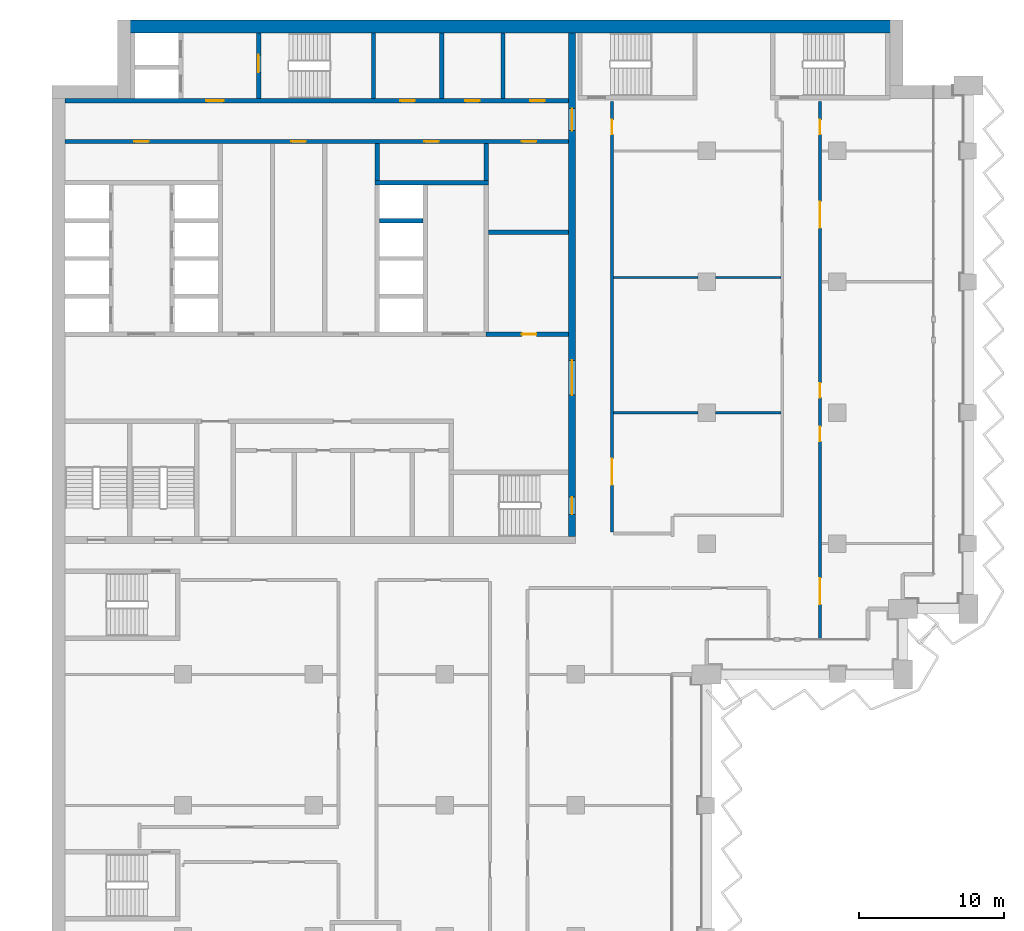
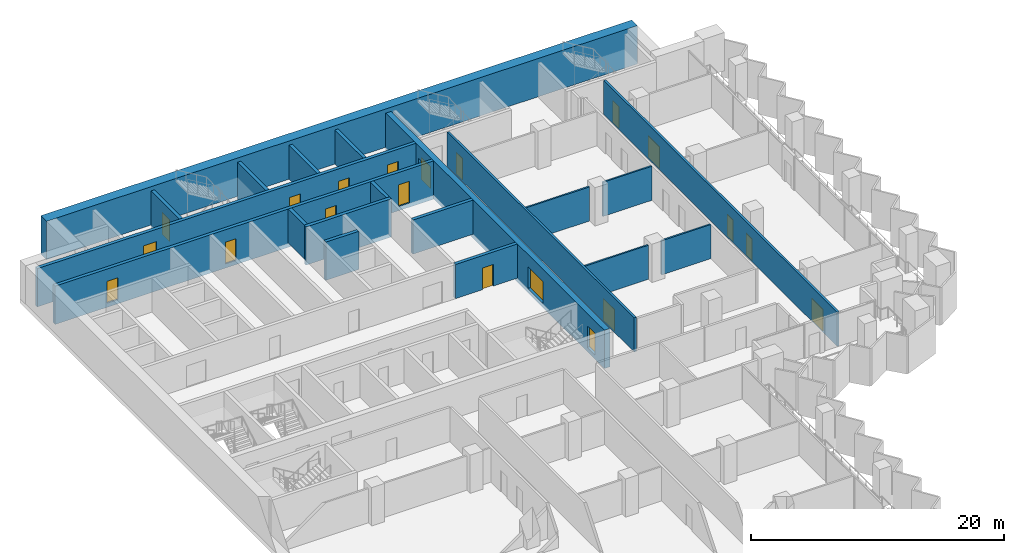
# One storey, part 14 of 23: 20 doors, 20 walls, 20 openings.
"""IFC4 building model written with IfcOpenShell, lengths in metres."""

import ifcopenshell
import ifcopenshell.guid

model = None  # the IFC model being written
_history = None  # IfcOwnerHistory: only IFC2X3 demands one
_inside = {}  # id of a spatial element -> (the spatial element, [elements in it])
_under = {}  # id of a project, library or spatial element -> (it, [spatial elements below it])
_declared = {}  # id of a project -> (the project, [libraries it declares])
_typed = {}  # id of a type object -> (the type object, [elements of that type])
_made_of = {}  # id of a material, layer set ... -> (it, [elements and type objects made of it])


def new_model(schema):
    """Start an empty IFC model of exactly this schema.

    Asked for "IFC4X3", IfcOpenShell would pick the latest addendum, in which some entities
    have other attributes; the version numbers below select the first issue.
    IFC2X3 requires an IfcOwnerHistory on every rooted entity: one is made here for all.
    """
    global model, _history
    if schema == "IFC4X3":
        model = ifcopenshell.file(schema_version=(4, 3, 0, 0))
    else:
        model = ifcopenshell.file(schema=schema)
    _inside.clear()
    _under.clear()
    _declared.clear()
    _typed.clear()
    _made_of.clear()
    _history = None
    if model.schema == "IFC2X3":
        org = make("IfcOrganization", Name="unknown")
        user = make(
            "IfcPersonAndOrganization",
            ThePerson=make("IfcPerson", FamilyName="unknown"),
            TheOrganization=org,
        )
        app = make(
            "IfcApplication",
            ApplicationDeveloper=org,
            Version="unknown",
            ApplicationFullName="unknown",
            ApplicationIdentifier="unknown",
        )
        _history = make(
            "IfcOwnerHistory",
            OwningUser=user,
            OwningApplication=app,
            ChangeAction="ADDED",
            CreationDate=0,
        )
    return model


def make(cls, **values):
    """One entity of the class cls with the attributes given. An attribute that is None is left unset."""
    return model.create_entity(
        cls, **{name: value for name, value in values.items() if value is not None}
    )


def rooted(cls, **values):
    """An entity with a GlobalId (a new one), such as an element, a storey or a relation."""
    return make(cls, GlobalId=ifcopenshell.guid.new(), OwnerHistory=_history, **values)


def si_unit(unit_type, name, prefix=None):
    """IfcSIUnit, for example si_unit("LENGTHUNIT", "METRE", prefix="MILLI")."""
    return make("IfcSIUnit", UnitType=unit_type, Prefix=prefix, Name=name)


def assignment(units):
    """IfcUnitAssignment: the units of a project."""
    return None if units is None else make("IfcUnitAssignment", Units=units)


def point(xyz):
    """IfcCartesianPoint."""
    return None if xyz is None else make("IfcCartesianPoint", Coordinates=xyz)


def direction(xyz):
    """IfcDirection."""
    return None if xyz is None else make("IfcDirection", DirectionRatios=xyz)


def frame(location, z_axis=None, x_axis=None):
    """IfcAxis2Placement3D, a coordinate frame: its origin and axes. An axis left out is left unset."""
    return make(
        "IfcAxis2Placement3D",
        Location=point(location),
        Axis=direction(z_axis),
        RefDirection=direction(x_axis),
    )


def frame_2d(location, x_axis=None):
    """IfcAxis2Placement2D, a coordinate frame in the plane: its origin and x axis."""
    return make(
        "IfcAxis2Placement2D", Location=point(location), RefDirection=direction(x_axis)
    )


def origin():
    """The frame at (0, 0, 0) with its axes left unset."""
    return frame((0.0, 0.0, 0.0))


def place(relative_to, where):
    """IfcLocalPlacement: puts the frame where relative to a parent placement (None: the world)."""
    return make(
        "IfcLocalPlacement", PlacementRelTo=relative_to, RelativePlacement=where
    )


def context(
    kind, dimensions, precision=None, world=None, true_north=None, identifier=None
):
    """IfcGeometricRepresentationContext, for example the 3D "Model" context."""
    return make(
        "IfcGeometricRepresentationContext",
        ContextIdentifier=identifier,
        ContextType=kind,
        CoordinateSpaceDimension=dimensions,
        Precision=precision,
        WorldCoordinateSystem=world,
        TrueNorth=true_north,
    )


def subcontext(parent, identifier, kind, view, scale=None):
    """IfcGeometricRepresentationSubContext, for example "Body" below "Model"."""
    return make(
        "IfcGeometricRepresentationSubContext",
        ContextIdentifier=identifier,
        ContextType=kind,
        ParentContext=parent,
        TargetScale=scale,
        TargetView=view,
    )


def project(units=None, contexts=None):
    """IfcProject with its units and contexts."""
    return rooted(
        "IfcProject",
        Name="project",
        RepresentationContexts=contexts,
        UnitsInContext=assignment(units),
    )


def spatial(cls, under=None, at=None, **own):
    """A site, building, storey or space (cls), placed at a placement, below another one or the project."""
    s = rooted(cls, ObjectPlacement=at, **own)
    if under is not None:
        _under.setdefault(under.id(), (under, []))[1].append(s)
    return s


def profile(cls, at=None, kind="AREA", **sizes):
    """A parametric profile (cls). Its sizes go by their IFC names, for example OverallWidth=200.0."""
    return make(cls, ProfileType=kind, Position=at, **sizes)


def rectangle(**sizes):
    """IfcRectangleProfileDef."""
    return profile("IfcRectangleProfileDef", **sizes)


def extrude(swept, where, along, depth):
    """IfcExtrudedAreaSolid: the profile swept, set in the frame where, extruded along a direction by depth."""
    return make(
        "IfcExtrudedAreaSolid",
        SweptArea=swept,
        Position=where,
        ExtrudedDirection=direction(along),
        Depth=depth,
    )


def shape(context_of_items, identifier, shape_type, items):
    """IfcShapeRepresentation: the items that make up one representation, for example the "Body"."""
    return make(
        "IfcShapeRepresentation",
        ContextOfItems=context_of_items,
        RepresentationIdentifier=identifier,
        RepresentationType=shape_type,
        Items=items,
    )


def material(Name=None, Category=None):
    """IfcMaterial."""
    return make("IfcMaterial", Name=Name, Category=Category)


def layer(
    of_material, thickness, ventilated=None, Name=None, Category=None, Priority=None
):
    """IfcMaterialLayer: one layer of a wall or slab, of a material (None: an air gap)."""
    return make(
        "IfcMaterialLayer",
        Material=of_material,
        LayerThickness=thickness,
        IsVentilated=ventilated,
        Name=Name,
        Category=Category,
        Priority=Priority,
    )


def layer_set(layers, Name=None):
    """IfcMaterialLayerSet."""
    return make("IfcMaterialLayerSet", MaterialLayers=layers, LayerSetName=Name)


def made_of(thing, what):
    """Note that an element or type object is made of a material, layer set ...; save() writes the relation."""
    if what is not None:
        _made_of.setdefault(what.id(), (what, []))[1].append(thing)
    return thing


def type_object(cls, material=None, **own):
    """A type object (cls), such as IfcWallType, which elements share."""
    return made_of(rooted(cls, **own), material)


def element(
    cls,
    number,
    at=None,
    inside=None,
    cuts=None,
    type_object=None,
    material=None,
    context=None,
    identifier="Body",
    shape_type=None,
    held_by="IfcProductDefinitionShape",
    body=None,
    shapes=None,
    **own,
):
    """One element of the class cls, such as IfcWall. Its Tag is "e" and its number.

    at: its placement. inside: the storey or other place that contains it. cuts: it is an
    opening in that element (IfcRelVoidsElement). A single representation is given by context,
    identifier, shape_type and body (its items); several are given by shapes. held_by: the class
    of the entity that holds the representations. save() writes the other relations.
    """
    e = rooted(cls, Tag="e%d" % number, ObjectPlacement=at, **own)
    if body is not None:
        shapes = [shape(context, identifier, shape_type, body)]
    if shapes is not None:
        e.Representation = make(held_by, Representations=shapes)
    if inside is not None:
        _inside.setdefault(inside.id(), (inside, []))[1].append(e)
    if cuts is not None:
        rooted(
            "IfcRelVoidsElement", RelatingBuildingElement=cuts, RelatedOpeningElement=e
        )
    if type_object is not None:
        _typed.setdefault(type_object.id(), (type_object, []))[1].append(e)
    return made_of(e, material)


def fill(opening, filler):
    """IfcRelFillsElement: the door or window that sits in an opening."""
    return rooted(
        "IfcRelFillsElement",
        RelatingOpeningElement=opening,
        RelatedBuildingElement=filler,
    )


def aggregate(whole, parts):
    """IfcRelAggregates: a whole, such as a stair, and the parts it consists of."""
    return rooted("IfcRelAggregates", RelatingObject=whole, RelatedObjects=parts)


def save(model, path):
    """Write the relations noted so far, then the file.

    IfcRelAggregates (storeys below a building ...), IfcRelContainedInSpatialStructure (elements
    in a storey), IfcRelDefinesByType, IfcRelAssociatesMaterial and IfcRelDeclares: one each for
    every whole, place, type object, material and project.
    """
    for whole, parts in _under.values():
        aggregate(whole, parts)
    for where, things in _inside.values():
        rooted(
            "IfcRelContainedInSpatialStructure",
            RelatedElements=things,
            RelatingStructure=where,
        )
    for kind, things in _typed.values():
        rooted("IfcRelDefinesByType", RelatedObjects=things, RelatingType=kind)
    for what, things in _made_of.values():
        rooted("IfcRelAssociatesMaterial", RelatedObjects=things, RelatingMaterial=what)
    for by, libraries in _declared.values():
        rooted("IfcRelDeclares", RelatingContext=by, RelatedDefinitions=libraries)
    model.write(path)


model = new_model("IFC4")

# Units and contexts
model_context = context("Model", 3, precision=1e-05, world=origin(), true_north=direction((0.0, 1.0)))
body_context = subcontext(model_context, "Body", "Model", "MODEL_VIEW")
ifc_project = project(units=[si_unit("LENGTHUNIT", "METRE"), si_unit("AREAUNIT", "SQUARE_METRE"), si_unit("VOLUMEUNIT", "CUBIC_METRE"), si_unit("PLANEANGLEUNIT", "RADIAN"), si_unit("MASSUNIT", "GRAM", prefix="KILO")], contexts=[model_context])

# Site, building, storey
site_placement = place(None, origin())
site = spatial("IfcSite", under=ifc_project, at=site_placement, CompositionType="ELEMENT")
building_placement = place(site_placement, origin())
building = spatial("IfcBuilding", under=site, at=building_placement, Name="Hunhe Ridgeline Campus", CompositionType="ELEMENT")
storey_placement = place(building_placement, frame((0.0, 0.0, 148.60009765625)))
storey = spatial("IfcBuildingStorey", under=building, at=storey_placement, Name="L37", CompositionType="ELEMENT", Elevation=148.60009765625)

# Wall, opening, door
ifc_material_1 = material(Name="Masonry concrete blockwork", Category="masonry")
ifc_layer_1 = layer(ifc_material_1, 0.300048828125)
ifc_layer_set_1 = layer_set([ifc_layer_1], Name="Core room partition 300 concrete block")
wall_type_1 = type_object("IfcWallType", Name="Core room partition 300 concrete block", PredefinedType="PARTITIONING", material=ifc_layer_set_1)
wall_1_placement = place(storey_placement, frame((29.85009765625, 77.39990234375, 0.0), z_axis=(0.0, 0.0, 1.0), x_axis=(1.0, 0.0, 0.0)))
wall_1 = element("IfcWall", 1, at=wall_1_placement, inside=storey, type_object=wall_type_1, Name="L37 core partition 13", PredefinedType="PARTITIONING", context=body_context, shape_type="SweptSolid", body=[
    extrude(rectangle(XDim=5.64990234375, YDim=0.300048828125, at=frame_2d((2.824951171875, 0.0))), origin(), (0.0, 0.0, 1.0), 3.2998046875),
])
opening_1_placement = place(wall_1_placement, frame((2.449951171875, 0.0, 0.0)))
opening_1 = element("IfcOpeningElement", 2, at=opening_1_placement, cuts=wall_1, Name="Opening CD32", PredefinedType="OPENING", context=body_context, shape_type="SweptSolid", body=[
    extrude(rectangle(XDim=1.0, YDim=2.10009765625, at=frame_2d((0.5, 1.050048828125))), frame((0.0, 0.14990234375, 0.0), z_axis=(0.0, -1.0, 0.0), x_axis=(1.0, 0.0, 0.0)), (0.0, 0.0, 1.0), 0.300048828125),
])
ifc_material_2 = material(Name="Solid core timber door leaf", Category="wood")
door_type_1 = type_object("IfcDoorType", Name="Timber door 1000x2100", OperationType="SINGLE_SWING_LEFT", PredefinedType="DOOR", material=ifc_material_2)
door_1_placement = place(opening_1_placement, origin())
door_1 = element("IfcDoor", 3, at=door_1_placement, inside=storey, type_object=door_type_1, Name="L37 door ES0", OperationType="SINGLE_SWING_RIGHT", OverallHeight=2.10009765625, OverallWidth=1.0, PredefinedType="DOOR", context=body_context, shape_type="SweptSolid", body=[
    extrude(rectangle(XDim=1.0, YDim=2.10009765625, at=frame_2d((0.5, 1.050048828125))), frame((0.0, 0.02490234375, 0.0), z_axis=(0.0, -1.0, 0.0), x_axis=(1.0, 0.0, 0.0)), (0.0, 0.0, 1.0), 0.050048828125),
])
fill(opening_1, door_1)

# Walls
wall_2_placement = place(storey_placement, frame((30.0, 84.39990234375, 0.0), z_axis=(0.0, 0.0, 1.0), x_axis=(1.0, 0.0, 0.0)))
element("IfcWall", 4, at=wall_2_placement, inside=storey, type_object=wall_type_1, Name="L37 core partition 20", PredefinedType="PARTITIONING", context=body_context, shape_type="SweptSolid", body=[
    extrude(rectangle(XDim=5.5, YDim=0.300048828125, at=frame_2d((2.75, 0.0))), origin(), (0.0, 0.0, 1.0), 3.2998046875),
])
wall_3_placement = place(storey_placement, frame((22.35009765625, 87.949951171875, 0.0), z_axis=(0.0, 0.0, 1.0), x_axis=(0.0, 1.0, 0.0)))
element("IfcWall", 5, at=wall_3_placement, inside=storey, type_object=wall_type_1, Name="L37 core partition 50", PredefinedType="PARTITIONING", context=body_context, shape_type="SweptSolid", body=[
    extrude(rectangle(XDim=2.550048828125, YDim=0.300048828125, at=frame_2d((1.27490234375, 0.0))), origin(), (0.0, 0.0, 1.0), 3.2998046875),
])
wall_4_placement = place(storey_placement, frame((26.800048828125, 93.60009765625, 0.0), z_axis=(0.0, 0.0, 1.0), x_axis=(0.0, 1.0, 0.0)))
element("IfcWall", 6, at=wall_4_placement, inside=storey, type_object=wall_type_1, Name="L37 core partition 54", PredefinedType="PARTITIONING", context=body_context, shape_type="SweptSolid", body=[
    extrude(rectangle(XDim=4.5, YDim=0.300048828125, at=frame_2d((2.25, 0.0))), origin(), (0.0, 0.0, 1.0), 3.2998046875),
])
wall_5_placement = place(storey_placement, frame((29.85009765625, 87.949951171875, 0.0), z_axis=(0.0, 0.0, 1.0), x_axis=(0.0, 1.0, 0.0)))
element("IfcWall", 7, at=wall_5_placement, inside=storey, type_object=wall_type_1, Name="L37 core partition 58", PredefinedType="PARTITIONING", context=body_context, shape_type="SweptSolid", body=[
    extrude(rectangle(XDim=2.550048828125, YDim=0.300048828125, at=frame_2d((1.27490234375, 0.0))), origin(), (0.0, 0.0, 1.0), 3.2998046875),
])
wall_6_placement = place(storey_placement, frame((31.0, 93.60009765625, 0.0), z_axis=(0.0, 0.0, 1.0), x_axis=(0.0, 1.0, 0.0)))
element("IfcWall", 8, at=wall_6_placement, inside=storey, type_object=wall_type_1, Name="L37 core partition 59", PredefinedType="PARTITIONING", context=body_context, shape_type="SweptSolid", body=[
    extrude(rectangle(XDim=4.5, YDim=0.300048828125, at=frame_2d((2.25, 0.0))), origin(), (0.0, 0.0, 1.0), 3.2998046875),
])

# Wall, openings, doors
ifc_material_3 = material(Name="Concrete C70", Category="concrete")
ifc_layer_2 = layer(ifc_material_3, 0.5)
ifc_layer_set_2 = layer_set([ifc_layer_2], Name="Core wall 500 reinforced concrete C70")
wall_type_2 = type_object("IfcWallType", Name="Core wall 500 reinforced concrete C70", PredefinedType="SOLIDWALL", material=ifc_layer_set_2)
wall_7_placement = place(storey_placement, frame((35.75, 63.5, -0.400146484375), z_axis=(0.0, 0.0, 1.0), x_axis=(0.0, 1.0, 0.0)))
wall_7 = element("IfcWall", 9, at=wall_7_placement, inside=storey, type_object=wall_type_2, Name="L37 core wall 60", PredefinedType="SOLIDWALL", context=body_context, shape_type="SweptSolid", body=[
    extrude(rectangle(XDim=34.60009765625, YDim=0.5, at=frame_2d((17.300048828125, 0.0))), origin(), (0.0, 0.0, 1.0), 3.699951171875),
])
opening_2_placement = place(wall_7_placement, frame((9.699951171875, 0.0, 0.39990234375)))
opening_2 = element("IfcOpeningElement", 10, at=opening_2_placement, cuts=wall_7, Name="Opening CD4", PredefinedType="OPENING", context=body_context, shape_type="SweptSolid", body=[
    extrude(rectangle(XDim=2.39990234375, YDim=2.10009765625, at=frame_2d((1.199951171875, 1.050048828125))), frame((0.0, 0.25, 0.0), z_axis=(0.0, -1.0, 0.0), x_axis=(1.0, 0.0, 0.0)), (0.0, 0.0, 1.0), 0.5),
])
opening_3_placement = place(wall_7_placement, frame((27.89990234375, 0.0, 0.39990234375)))
opening_3 = element("IfcOpeningElement", 11, at=opening_3_placement, cuts=wall_7, Name="Opening CD5", PredefinedType="OPENING", context=body_context, shape_type="SweptSolid", body=[
    extrude(rectangle(XDim=1.5, YDim=2.10009765625, at=frame_2d((0.75, 1.050048828125))), frame((0.0, 0.25, 0.0), z_axis=(0.0, -1.0, 0.0), x_axis=(1.0, 0.0, 0.0)), (0.0, 0.0, 1.0), 0.5),
])
opening_4_placement = place(wall_7_placement, frame((1.5, 0.0, 0.39990234375)))
opening_4 = element("IfcOpeningElement", 12, at=opening_4_placement, cuts=wall_7, Name="Opening CD15", PredefinedType="OPENING", context=body_context, shape_type="SweptSolid", body=[
    extrude(rectangle(XDim=1.199951171875, YDim=2.10009765625, at=frame_2d((0.60009765625, 1.050048828125))), frame((0.0, 0.25, 0.0), z_axis=(0.0, -1.0, 0.0), x_axis=(1.0, 0.0, 0.0)), (0.0, 0.0, 1.0), 0.5),
])
ifc_material_4 = material(Name="Anodised aluminium and glass", Category="aluminium")
door_type_2 = type_object("IfcDoorType", Name="Glazed double door 2400x2100", OperationType="DOUBLE_DOOR_SINGLE_SWING", PredefinedType="DOOR", material=ifc_material_4)
door_2_placement = place(opening_2_placement, frame((2.39990234375, 0.0, 0.0), z_axis=(0.0, 0.0, 1.0), x_axis=(-1.0, 0.0, 0.0)))
door_2 = element("IfcDoor", 13, at=door_2_placement, inside=storey, type_object=door_type_2, Name="L37 door HALL-FLOOR", OperationType="DOUBLE_DOOR_SINGLE_SWING", OverallHeight=2.10009765625, OverallWidth=2.39990234375, PredefinedType="DOOR", context=body_context, shape_type="SweptSolid", body=[
    extrude(rectangle(XDim=2.39990234375, YDim=2.10009765625, at=frame_2d((1.199951171875, 1.050048828125))), frame((0.0, 0.02490234375, 0.0), z_axis=(0.0, -1.0, 0.0), x_axis=(1.0, 0.0, 0.0)), (0.0, 0.0, 1.0), 0.050048828125),
])
fill(opening_2, door_2)
ifc_material_5 = material(Name="Hollow metal fire door leaf")
door_type_3 = type_object("IfcDoorType", Name="Stair door 1200x2100 FD60", OperationType="SINGLE_SWING_LEFT", PredefinedType="DOOR", material=ifc_material_5)
door_3_placement = place(opening_4_placement, frame((1.199951171875, 0.0, 0.0), z_axis=(0.0, 0.0, 1.0), x_axis=(-1.0, 0.0, 0.0)))
door_3 = element("IfcDoor", 14, at=door_3_placement, inside=storey, type_object=door_type_3, Name="L37 door S2-FLOOR", OperationType="SINGLE_SWING_RIGHT", OverallHeight=2.10009765625, OverallWidth=1.199951171875, PredefinedType="DOOR", context=body_context, shape_type="SweptSolid", body=[
    extrude(rectangle(XDim=1.199951171875, YDim=2.10009765625, at=frame_2d((0.60009765625, 1.050048828125))), frame((0.0, 0.02490234375, 0.0), z_axis=(0.0, -1.0, 0.0), x_axis=(1.0, 0.0, 0.0)), (0.0, 0.0, 1.0), 0.050048828125),
])
fill(opening_4, door_3)
door_type_4 = type_object("IfcDoorType", Name="Timber door 1500x2100", OperationType="SINGLE_SWING_LEFT", PredefinedType="DOOR", material=ifc_material_2)
door_4_placement = place(opening_3_placement, frame((1.5, 0.0, 0.0), z_axis=(0.0, 0.0, 1.0), x_axis=(-1.0, 0.0, 0.0)))
door_4 = element("IfcDoor", 15, at=door_4_placement, inside=storey, type_object=door_type_4, Name="L37 door C1-FLOOR", OperationType="SINGLE_SWING_RIGHT", OverallHeight=2.10009765625, OverallWidth=1.5, PredefinedType="DOOR", context=body_context, shape_type="SweptSolid", body=[
    extrude(rectangle(XDim=1.5, YDim=2.10009765625, at=frame_2d((0.75, 1.050048828125))), frame((0.0, 0.02490234375, 0.0), z_axis=(0.0, -1.0, 0.0), x_axis=(1.0, 0.0, 0.0)), (0.0, 0.0, 1.0), 0.050048828125),
])
fill(opening_3, door_4)

ifc_material_6 = material(Name="Gypsum board partition")
ifc_layer_3 = layer(ifc_material_6, 0.199951171875)
ifc_layer_set_3 = layer_set([ifc_layer_3], Name="Corridor partition 200 gypsum board on steel studs")
wall_type_3 = type_object("IfcWallType", Name="Corridor partition 200 gypsum board on steel studs", PredefinedType="PARTITIONING", material=ifc_layer_set_3)
wall_8_placement = place(storey_placement, frame((38.5, 93.39599609375, 0.0), z_axis=(0.0, 0.0, 1.0), x_axis=(0.0, -1.0, 0.0)))
wall_8 = element("IfcWall", 16, at=wall_8_placement, inside=storey, type_object=wall_type_3, Name="F-L37-wall-070", PredefinedType="PARTITIONING", context=body_context, shape_type="SweptSolid", body=[
    extrude(rectangle(XDim=29.595947265625, YDim=0.199951171875, at=frame_2d((14.7978515625, 0.0))), origin(), (0.0, 0.0, 1.0), 3.2998046875),
])
opening_5_placement = place(wall_8_placement, frame((24.5576171875, 0.0, 0.0)))
opening_5 = element("IfcOpeningElement", 17, at=opening_5_placement, cuts=wall_8, Name="Opening RD2-028", PredefinedType="OPENING", context=body_context, shape_type="SweptSolid", body=[
    extrude(rectangle(XDim=1.800048828125, YDim=2.10009765625, at=frame_2d((0.89990234375, 1.050048828125))), frame((0.0, 0.10009765625, 0.0), z_axis=(0.0, -1.0, 0.0), x_axis=(1.0, 0.0, 0.0)), (0.0, 0.0, 1.0), 0.199951171875),
])
opening_6_placement = place(wall_8_placement, frame((1.255615234375, 0.0, 0.0)))
opening_6 = element("IfcOpeningElement", 18, at=opening_6_placement, cuts=wall_8, Name="Opening RD1-036", PredefinedType="OPENING", context=body_context, shape_type="SweptSolid", body=[
    extrude(rectangle(XDim=1.0, YDim=2.10009765625, at=frame_2d((0.5, 1.050048828125))), frame((0.0, 0.10009765625, 0.0), z_axis=(0.0, -1.0, 0.0), x_axis=(1.0, 0.0, 0.0)), (0.0, 0.0, 1.0), 0.199951171875),
])
ifc_material_7 = material(Name="Timber door leaf", Category="wood")
door_type_5 = type_object("IfcDoorType", Name="Double fire door 1800x2100 timber FD60", OperationType="DOUBLE_DOOR_SINGLE_SWING", PredefinedType="DOOR", material=ifc_material_7)
door_5_placement = place(opening_5_placement, origin())
door_5 = element("IfcDoor", 19, at=door_5_placement, inside=storey, type_object=door_type_5, Name="F-L37-door-028", OperationType="DOUBLE_DOOR_SINGLE_SWING", OverallHeight=2.10009765625, OverallWidth=1.800048828125, PredefinedType="DOOR", context=body_context, shape_type="SweptSolid", body=[
    extrude(rectangle(XDim=1.800048828125, YDim=2.10009765625, at=frame_2d((0.89990234375, 1.050048828125))), frame((0.0, 0.02490234375, 0.0), z_axis=(0.0, -1.0, 0.0), x_axis=(1.0, 0.0, 0.0)), (0.0, 0.0, 1.0), 0.050048828125),
])
fill(opening_5, door_5)
door_type_6 = type_object("IfcDoorType", Name="Single fire door 1000x2100 timber FD60", OperationType="NOTDEFINED", PredefinedType="DOOR", material=ifc_material_7)
door_6_placement = place(opening_6_placement, origin())
door_6 = element("IfcDoor", 20, at=door_6_placement, inside=storey, type_object=door_type_6, Name="F-L37-door-036", OperationType="SINGLE_SWING_LEFT", OverallHeight=2.10009765625, OverallWidth=1.0, PredefinedType="DOOR", context=body_context, shape_type="SweptSolid", body=[
    extrude(rectangle(XDim=1.0, YDim=2.10009765625, at=frame_2d((0.5, 1.050048828125))), frame((0.0, 0.02490234375, 0.0), z_axis=(0.0, -1.0, 0.0), x_axis=(1.0, 0.0, 0.0)), (0.0, 0.0, 1.0), 0.050048828125),
])
fill(opening_6, door_6)

wall_9_placement = place(storey_placement, frame((52.800048828125, 93.39599609375, 0.0), z_axis=(0.0, 0.0, 1.0), x_axis=(0.0, -1.0, 0.0)))
wall_9 = element("IfcWall", 21, at=wall_9_placement, inside=storey, type_object=wall_type_3, Name="F-L37-wall-076", PredefinedType="PARTITIONING", context=body_context, shape_type="SweptSolid", body=[
    extrude(rectangle(XDim=36.94091796875, YDim=0.199951171875, at=frame_2d((18.470458984375, 0.0))), origin(), (0.0, 0.0, 1.0), 3.2998046875),
])
opening_7_placement = place(wall_9_placement, frame((32.774169921875, 0.0, 0.0)))
opening_7 = element("IfcOpeningElement", 22, at=opening_7_placement, cuts=wall_9, Name="Opening RD2-024", PredefinedType="OPENING", context=body_context, shape_type="SweptSolid", body=[
    extrude(rectangle(XDim=1.800048828125, YDim=2.10009765625, at=frame_2d((0.89990234375, 1.050048828125))), frame((0.0, 0.10009765625, 0.0), z_axis=(0.0, -1.0, 0.0), x_axis=(1.0, 0.0, 0.0)), (0.0, 0.0, 1.0), 0.199951171875),
])
opening_8_placement = place(wall_9_placement, frame((22.3603515625, 0.0, 0.0)))
opening_8 = element("IfcOpeningElement", 23, at=opening_8_placement, cuts=wall_9, Name="Opening RD1-029", PredefinedType="OPENING", context=body_context, shape_type="SweptSolid", body=[
    extrude(rectangle(XDim=1.0, YDim=2.10009765625, at=frame_2d((0.5, 1.050048828125))), frame((0.0, 0.10009765625, 0.0), z_axis=(0.0, -1.0, 0.0), x_axis=(1.0, 0.0, 0.0)), (0.0, 0.0, 1.0), 0.199951171875),
])
opening_9_placement = place(wall_9_placement, frame((19.3603515625, 0.0, 0.0)))
opening_9 = element("IfcOpeningElement", 24, at=opening_9_placement, cuts=wall_9, Name="Opening RD1-030", PredefinedType="OPENING", context=body_context, shape_type="SweptSolid", body=[
    extrude(rectangle(XDim=1.0, YDim=2.10009765625, at=frame_2d((0.5, 1.050048828125))), frame((0.0, 0.10009765625, 0.0), z_axis=(0.0, -1.0, 0.0), x_axis=(1.0, 0.0, 0.0)), (0.0, 0.0, 1.0), 0.199951171875),
])
opening_10_placement = place(wall_9_placement, frame((6.890380859375, 0.0, 0.0)))
opening_10 = element("IfcOpeningElement", 25, at=opening_10_placement, cuts=wall_9, Name="Opening RD2-034", PredefinedType="OPENING", context=body_context, shape_type="SweptSolid", body=[
    extrude(rectangle(XDim=1.800048828125, YDim=2.10009765625, at=frame_2d((0.89990234375, 1.050048828125))), frame((0.0, 0.10009765625, 0.0), z_axis=(0.0, -1.0, 0.0), x_axis=(1.0, 0.0, 0.0)), (0.0, 0.0, 1.0), 0.199951171875),
])
opening_11_placement = place(wall_9_placement, frame((1.259033203125, 0.0, 0.0)))
opening_11 = element("IfcOpeningElement", 26, at=opening_11_placement, cuts=wall_9, Name="Opening RD1-037", PredefinedType="OPENING", context=body_context, shape_type="SweptSolid", body=[
    extrude(rectangle(XDim=1.0, YDim=2.10009765625, at=frame_2d((0.5, 1.050048828125))), frame((0.0, 0.10009765625, 0.0), z_axis=(0.0, -1.0, 0.0), x_axis=(1.0, 0.0, 0.0)), (0.0, 0.0, 1.0), 0.199951171875),
])
door_7_placement = place(opening_7_placement, origin())
door_7 = element("IfcDoor", 27, at=door_7_placement, inside=storey, type_object=door_type_5, Name="F-L37-door-024", OperationType="DOUBLE_DOOR_SINGLE_SWING", OverallHeight=2.10009765625, OverallWidth=1.800048828125, PredefinedType="DOOR", context=body_context, shape_type="SweptSolid", body=[
    extrude(rectangle(XDim=1.800048828125, YDim=2.10009765625, at=frame_2d((0.89990234375, 1.050048828125))), frame((0.0, 0.02490234375, 0.0), z_axis=(0.0, -1.0, 0.0), x_axis=(1.0, 0.0, 0.0)), (0.0, 0.0, 1.0), 0.050048828125),
])
fill(opening_7, door_7)
door_8_placement = place(opening_10_placement, origin())
door_8 = element("IfcDoor", 28, at=door_8_placement, inside=storey, type_object=door_type_5, Name="F-L37-door-034", OperationType="DOUBLE_DOOR_SINGLE_SWING", OverallHeight=2.10009765625, OverallWidth=1.800048828125, PredefinedType="DOOR", context=body_context, shape_type="SweptSolid", body=[
    extrude(rectangle(XDim=1.800048828125, YDim=2.10009765625, at=frame_2d((0.89990234375, 1.050048828125))), frame((0.0, 0.02490234375, 0.0), z_axis=(0.0, -1.0, 0.0), x_axis=(1.0, 0.0, 0.0)), (0.0, 0.0, 1.0), 0.050048828125),
])
fill(opening_10, door_8)
door_9_placement = place(opening_8_placement, frame((1.0, 0.0, 0.0), z_axis=(0.0, 0.0, 1.0), x_axis=(-1.0, 0.0, 0.0)))
door_9 = element("IfcDoor", 29, at=door_9_placement, inside=storey, type_object=door_type_6, Name="F-L37-door-029", OperationType="SINGLE_SWING_LEFT", OverallHeight=2.10009765625, OverallWidth=1.0, PredefinedType="DOOR", context=body_context, shape_type="SweptSolid", body=[
    extrude(rectangle(XDim=1.0, YDim=2.10009765625, at=frame_2d((0.5, 1.050048828125))), frame((0.0, 0.02490234375, 0.0), z_axis=(0.0, -1.0, 0.0), x_axis=(1.0, 0.0, 0.0)), (0.0, 0.0, 1.0), 0.050048828125),
])
fill(opening_8, door_9)
door_10_placement = place(opening_9_placement, frame((1.0, 0.0, 0.0), z_axis=(0.0, 0.0, 1.0), x_axis=(-1.0, 0.0, 0.0)))
door_10 = element("IfcDoor", 30, at=door_10_placement, inside=storey, type_object=door_type_6, Name="F-L37-door-030", OperationType="SINGLE_SWING_RIGHT", OverallHeight=2.10009765625, OverallWidth=1.0, PredefinedType="DOOR", context=body_context, shape_type="SweptSolid", body=[
    extrude(rectangle(XDim=1.0, YDim=2.10009765625, at=frame_2d((0.5, 1.050048828125))), frame((0.0, 0.02490234375, 0.0), z_axis=(0.0, -1.0, 0.0), x_axis=(1.0, 0.0, 0.0)), (0.0, 0.0, 1.0), 0.050048828125),
])
fill(opening_9, door_10)
door_11_placement = place(opening_11_placement, origin())
door_11 = element("IfcDoor", 31, at=door_11_placement, inside=storey, type_object=door_type_6, Name="F-L37-door-037", OperationType="SINGLE_SWING_RIGHT", OverallHeight=2.10009765625, OverallWidth=1.0, PredefinedType="DOOR", context=body_context, shape_type="SweptSolid", body=[
    extrude(rectangle(XDim=1.0, YDim=2.10009765625, at=frame_2d((0.5, 1.050048828125))), frame((0.0, 0.02490234375, 0.0), z_axis=(0.0, -1.0, 0.0), x_axis=(1.0, 0.0, 0.0)), (0.0, 0.0, 1.0), 0.050048828125),
])
fill(opening_11, door_11)

ifc_layer_4 = layer(ifc_material_3, 0.300048828125)
ifc_layer_set_4 = layer_set([ifc_layer_4], Name="Lobby wall 300 reinforced concrete C70")
wall_type_4 = type_object("IfcWallType", Name="Lobby wall 300 reinforced concrete C70", PredefinedType="SOLIDWALL", material=ifc_layer_set_4)
wall_10_placement = place(storey_placement, frame((0.89990234375, 90.64990234375, -0.400146484375), z_axis=(0.0, 0.0, 1.0), x_axis=(1.0, 0.0, 0.0)))
wall_10 = element("IfcWall", 32, at=wall_10_placement, inside=storey, type_object=wall_type_4, Name="L37 core wall 26", PredefinedType="SOLIDWALL", context=body_context, shape_type="SweptSolid", body=[
    extrude(rectangle(XDim=34.60009765625, YDim=0.300048828125, at=frame_2d((17.300048828125, 0.0))), origin(), (0.0, 0.0, 1.0), 3.699951171875),
])
opening_12_placement = place(wall_10_placement, frame((4.75, 0.0, 0.39990234375)))
opening_12 = element("IfcOpeningElement", 33, at=opening_12_placement, cuts=wall_10, Name="Opening CD26", PredefinedType="OPENING", context=body_context, shape_type="SweptSolid", body=[
    extrude(rectangle(XDim=1.0, YDim=2.10009765625, at=frame_2d((0.5, 1.050048828125))), frame((0.0, 0.14990234375, 0.0), z_axis=(0.0, -1.0, 0.0), x_axis=(1.0, 0.0, 0.0)), (0.0, 0.0, 1.0), 0.300048828125),
])
opening_13_placement = place(wall_10_placement, frame((24.699951171875, 0.0, 0.39990234375)))
opening_13 = element("IfcOpeningElement", 34, at=opening_13_placement, cuts=wall_10, Name="Opening CD27", PredefinedType="OPENING", context=body_context, shape_type="SweptSolid", body=[
    extrude(rectangle(XDim=1.0, YDim=2.10009765625, at=frame_2d((0.5, 1.050048828125))), frame((0.0, 0.14990234375, 0.0), z_axis=(0.0, -1.0, 0.0), x_axis=(1.0, 0.0, 0.0)), (0.0, 0.0, 1.0), 0.300048828125),
])
opening_14_placement = place(wall_10_placement, frame((15.550048828125, 0.0, 0.39990234375)))
opening_14 = element("IfcOpeningElement", 35, at=opening_14_placement, cuts=wall_10, Name="Opening CD29", PredefinedType="OPENING", context=body_context, shape_type="SweptSolid", body=[
    extrude(rectangle(XDim=1.0, YDim=2.10009765625, at=frame_2d((0.5, 1.050048828125))), frame((0.0, 0.14990234375, 0.0), z_axis=(0.0, -1.0, 0.0), x_axis=(1.0, 0.0, 0.0)), (0.0, 0.0, 1.0), 0.300048828125),
])
opening_15_placement = place(wall_10_placement, frame((31.39990234375, 0.0, 0.39990234375)))
opening_15 = element("IfcOpeningElement", 36, at=opening_15_placement, cuts=wall_10, Name="Opening CD33", PredefinedType="OPENING", context=body_context, shape_type="SweptSolid", body=[
    extrude(rectangle(XDim=1.0, YDim=2.10009765625, at=frame_2d((0.5, 1.050048828125))), frame((0.0, 0.14990234375, 0.0), z_axis=(0.0, -1.0, 0.0), x_axis=(1.0, 0.0, 0.0)), (0.0, 0.0, 1.0), 0.300048828125),
])
door_12_placement = place(opening_12_placement, frame((1.0, 0.0, 0.0), z_axis=(0.0, 0.0, 1.0), x_axis=(-1.0, 0.0, 0.0)))
door_12 = element("IfcDoor", 37, at=door_12_placement, inside=storey, type_object=door_type_1, Name="L37 door NR-0", OperationType="SINGLE_SWING_LEFT", OverallHeight=2.10009765625, OverallWidth=1.0, PredefinedType="DOOR", context=body_context, shape_type="SweptSolid", body=[
    extrude(rectangle(XDim=1.0, YDim=2.10009765625, at=frame_2d((0.5, 1.050048828125))), frame((0.0, 0.02490234375, 0.0), z_axis=(0.0, -1.0, 0.0), x_axis=(1.0, 0.0, 0.0)), (0.0, 0.0, 1.0), 0.050048828125),
])
fill(opening_12, door_12)
door_13_placement = place(opening_13_placement, frame((1.0, 0.0, 0.0), z_axis=(0.0, 0.0, 1.0), x_axis=(-1.0, 0.0, 0.0)))
door_13 = element("IfcDoor", 38, at=door_13_placement, inside=storey, type_object=door_type_1, Name="L37 door NR-1", OperationType="SINGLE_SWING_RIGHT", OverallHeight=2.10009765625, OverallWidth=1.0, PredefinedType="DOOR", context=body_context, shape_type="SweptSolid", body=[
    extrude(rectangle(XDim=1.0, YDim=2.10009765625, at=frame_2d((0.5, 1.050048828125))), frame((0.0, 0.02490234375, 0.0), z_axis=(0.0, -1.0, 0.0), x_axis=(1.0, 0.0, 0.0)), (0.0, 0.0, 1.0), 0.050048828125),
])
fill(opening_13, door_13)
door_14_placement = place(opening_14_placement, frame((1.0, 0.0, 0.0), z_axis=(0.0, 0.0, 1.0), x_axis=(-1.0, 0.0, 0.0)))
door_14 = element("IfcDoor", 39, at=door_14_placement, inside=storey, type_object=door_type_1, Name="L37 door VD-HR1", OperationType="SINGLE_SWING_RIGHT", OverallHeight=2.10009765625, OverallWidth=1.0, PredefinedType="DOOR", context=body_context, shape_type="SweptSolid", body=[
    extrude(rectangle(XDim=1.0, YDim=2.10009765625, at=frame_2d((0.5, 1.050048828125))), frame((0.0, 0.02490234375, 0.0), z_axis=(0.0, -1.0, 0.0), x_axis=(1.0, 0.0, 0.0)), (0.0, 0.0, 1.0), 0.050048828125),
])
fill(opening_14, door_14)
door_15_placement = place(opening_15_placement, frame((1.0, 0.0, 0.0), z_axis=(0.0, 0.0, 1.0), x_axis=(-1.0, 0.0, 0.0)))
door_15 = element("IfcDoor", 40, at=door_15_placement, inside=storey, type_object=door_type_1, Name="L37 door ES1", OperationType="SINGLE_SWING_RIGHT", OverallHeight=2.10009765625, OverallWidth=1.0, PredefinedType="DOOR", context=body_context, shape_type="SweptSolid", body=[
    extrude(rectangle(XDim=1.0, YDim=2.10009765625, at=frame_2d((0.5, 1.050048828125))), frame((0.0, 0.02490234375, 0.0), z_axis=(0.0, -1.0, 0.0), x_axis=(1.0, 0.0, 0.0)), (0.0, 0.0, 1.0), 0.050048828125),
])
fill(opening_15, door_15)

# Walls
ifc_layer_5 = layer(ifc_material_6, 0.14990234375)
ifc_layer_set_5 = layer_set([ifc_layer_5], Name="Room partition 150 gypsum board on steel studs")
wall_type_5 = type_object("IfcWallType", Name="Room partition 150 gypsum board on steel studs", PredefinedType="PARTITIONING", material=ifc_layer_set_5)
wall_11_placement = place(storey_placement, frame((38.60009765625, 72.0, 0.0), z_axis=(0.0, 0.0, 1.0), x_axis=(1.0, 0.0, 0.0)))
element("IfcWall", 41, at=wall_11_placement, inside=storey, type_object=wall_type_5, Name="F-L37-wall-048", PredefinedType="PARTITIONING", context=body_context, shape_type="SweptSolid", body=[
    extrude(rectangle(XDim=5.7998046875, YDim=0.14990234375, at=frame_2d((2.89990234375, 0.0))), origin(), (0.0, 0.0, 1.0), 3.2998046875),
])
wall_12_placement = place(storey_placement, frame((45.60009765625, 72.0, 0.0), z_axis=(0.0, 0.0, 1.0), x_axis=(1.0, 0.0, 0.0)))
element("IfcWall", 42, at=wall_12_placement, inside=storey, type_object=wall_type_5, Name="F-L37-wall-049", PredefinedType="PARTITIONING", context=body_context, shape_type="SweptSolid", body=[
    extrude(rectangle(XDim=4.5, YDim=0.14990234375, at=frame_2d((2.25, 0.0))), origin(), (0.0, 0.0, 1.0), 3.2998046875),
])
wall_13_placement = place(storey_placement, frame((38.60009765625, 81.300048828125, 0.0), z_axis=(0.0, 0.0, 1.0), x_axis=(1.0, 0.0, 0.0)))
element("IfcWall", 43, at=wall_13_placement, inside=storey, type_object=wall_type_5, Name="F-L37-wall-052", PredefinedType="PARTITIONING", context=body_context, shape_type="SweptSolid", body=[
    extrude(rectangle(XDim=5.7998046875, YDim=0.14990234375, at=frame_2d((2.89990234375, 0.0))), origin(), (0.0, 0.0, 1.0), 3.2998046875),
])
wall_14_placement = place(storey_placement, frame((45.60009765625, 81.300048828125, 0.0), z_axis=(0.0, 0.0, 1.0), x_axis=(1.0, 0.0, 0.0)))
element("IfcWall", 44, at=wall_14_placement, inside=storey, type_object=wall_type_5, Name="F-L37-wall-053", PredefinedType="PARTITIONING", context=body_context, shape_type="SweptSolid", body=[
    extrude(rectangle(XDim=4.5, YDim=0.14990234375, at=frame_2d((2.25, 0.0))), origin(), (0.0, 0.0, 1.0), 3.2998046875),
])
ifc_layer_6 = layer(ifc_material_3, 0.300048828125)
ifc_layer_set_6 = layer_set([ifc_layer_6], Name="Shaft wall 300 reinforced concrete C70")
wall_type_6 = type_object("IfcWallType", Name="Shaft wall 300 reinforced concrete C70", PredefinedType="SOLIDWALL", material=ifc_layer_set_6)
wall_15_placement = place(storey_placement, frame((22.5, 85.199951171875, -0.400146484375), z_axis=(0.0, 0.0, 1.0), x_axis=(1.0, 0.0, 0.0)))
element("IfcWall", 45, at=wall_15_placement, inside=storey, type_object=wall_type_6, Name="L37 core wall 23", PredefinedType="SOLIDWALL", context=body_context, shape_type="SweptSolid", body=[
    extrude(rectangle(XDim=3.0, YDim=0.300048828125, at=frame_2d((1.5, 0.0))), origin(), (0.0, 0.0, 1.0), 3.699951171875),
])
wall_16_placement = place(storey_placement, frame((22.199951171875, 87.800048828125, -0.400146484375), z_axis=(0.0, 0.0, 1.0), x_axis=(1.0, 0.0, 0.0)))
element("IfcWall", 46, at=wall_16_placement, inside=storey, type_object=wall_type_6, Name="L37 core wall 25", PredefinedType="SOLIDWALL", context=body_context, shape_type="SweptSolid", body=[
    extrude(rectangle(XDim=7.800048828125, YDim=0.300048828125, at=frame_2d((3.89990234375, 0.0))), origin(), (0.0, 0.0, 1.0), 3.699951171875),
])

# Wall, openings, doors
wall_17_placement = place(storey_placement, frame((0.89990234375, 93.449951171875, -0.400146484375), z_axis=(0.0, 0.0, 1.0), x_axis=(1.0, 0.0, 0.0)))
wall_17 = element("IfcWall", 47, at=wall_17_placement, inside=storey, type_object=wall_type_6, Name="L37 core wall 27", PredefinedType="SOLIDWALL", context=body_context, shape_type="SweptSolid", body=[
    extrude(rectangle(XDim=34.60009765625, YDim=0.300048828125, at=frame_2d((17.300048828125, 0.0))), origin(), (0.0, 0.0, 1.0), 3.699951171875),
])
opening_16_placement = place(wall_17_placement, frame((9.699951171875, 0.0, 0.39990234375)))
opening_16 = element("IfcOpeningElement", 48, at=opening_16_placement, cuts=wall_17, Name="Opening CD3", PredefinedType="OPENING", context=body_context, shape_type="SweptSolid", body=[
    extrude(rectangle(XDim=1.199951171875, YDim=2.10009765625, at=frame_2d((0.60009765625, 1.050048828125))), frame((0.0, 0.14990234375, 0.0), z_axis=(0.0, -1.0, 0.0), x_axis=(1.0, 0.0, 0.0)), (0.0, 0.0, 1.0), 0.300048828125),
])
opening_17_placement = place(wall_17_placement, frame((23.050048828125, 0.0, 0.39990234375)))
opening_17 = element("IfcOpeningElement", 49, at=opening_17_placement, cuts=wall_17, Name="Opening CD34", PredefinedType="OPENING", context=body_context, shape_type="SweptSolid", body=[
    extrude(rectangle(XDim=1.0, YDim=2.10009765625, at=frame_2d((0.5, 1.050048828125))), frame((0.0, 0.14990234375, 0.0), z_axis=(0.0, -1.0, 0.0), x_axis=(1.0, 0.0, 0.0)), (0.0, 0.0, 1.0), 0.300048828125),
])
opening_18_placement = place(wall_17_placement, frame((27.5, 0.0, 0.39990234375)))
opening_18 = element("IfcOpeningElement", 50, at=opening_18_placement, cuts=wall_17, Name="Opening CD35", PredefinedType="OPENING", context=body_context, shape_type="SweptSolid", body=[
    extrude(rectangle(XDim=1.0, YDim=2.10009765625, at=frame_2d((0.5, 1.050048828125))), frame((0.0, 0.14990234375, 0.0), z_axis=(0.0, -1.0, 0.0), x_axis=(1.0, 0.0, 0.0)), (0.0, 0.0, 1.0), 0.300048828125),
])
opening_19_placement = place(wall_17_placement, frame((31.97509765625, 0.0, 0.39990234375)))
opening_19 = element("IfcOpeningElement", 51, at=opening_19_placement, cuts=wall_17, Name="Opening CD36", PredefinedType="OPENING", context=body_context, shape_type="SweptSolid", body=[
    extrude(rectangle(XDim=1.0, YDim=2.10009765625, at=frame_2d((0.5, 1.050048828125))), frame((0.0, 0.14990234375, 0.0), z_axis=(0.0, -1.0, 0.0), x_axis=(1.0, 0.0, 0.0)), (0.0, 0.0, 1.0), 0.300048828125),
])
door_type_7 = type_object("IfcDoorType", Name="Lobby door 1200x2100 FD60", OperationType="SINGLE_SWING_LEFT", PredefinedType="DOOR", material=ifc_material_5)
door_16_placement = place(opening_16_placement, frame((1.199951171875, 0.0, 0.0), z_axis=(0.0, 0.0, 1.0), x_axis=(-1.0, 0.0, 0.0)))
door_16 = element("IfcDoor", 52, at=door_16_placement, inside=storey, type_object=door_type_7, Name="L37 door FF-C1", OperationType="SINGLE_SWING_LEFT", OverallHeight=2.10009765625, OverallWidth=1.199951171875, PredefinedType="DOOR", context=body_context, shape_type="SweptSolid", body=[
    extrude(rectangle(XDim=1.199951171875, YDim=2.10009765625, at=frame_2d((0.60009765625, 1.050048828125))), frame((0.0, 0.02490234375, 0.0), z_axis=(0.0, -1.0, 0.0), x_axis=(1.0, 0.0, 0.0)), (0.0, 0.0, 1.0), 0.050048828125),
])
fill(opening_16, door_16)
door_17_placement = place(opening_17_placement, origin())
door_17 = element("IfcDoor", 53, at=door_17_placement, inside=storey, type_object=door_type_1, Name="L37 door NB0", OperationType="SINGLE_SWING_RIGHT", OverallHeight=2.10009765625, OverallWidth=1.0, PredefinedType="DOOR", context=body_context, shape_type="SweptSolid", body=[
    extrude(rectangle(XDim=1.0, YDim=2.10009765625, at=frame_2d((0.5, 1.050048828125))), frame((0.0, 0.02490234375, 0.0), z_axis=(0.0, -1.0, 0.0), x_axis=(1.0, 0.0, 0.0)), (0.0, 0.0, 1.0), 0.050048828125),
])
fill(opening_17, door_17)
door_18_placement = place(opening_18_placement, origin())
door_18 = element("IfcDoor", 54, at=door_18_placement, inside=storey, type_object=door_type_1, Name="L37 door NB1", OperationType="SINGLE_SWING_LEFT", OverallHeight=2.10009765625, OverallWidth=1.0, PredefinedType="DOOR", context=body_context, shape_type="SweptSolid", body=[
    extrude(rectangle(XDim=1.0, YDim=2.10009765625, at=frame_2d((0.5, 1.050048828125))), frame((0.0, 0.02490234375, 0.0), z_axis=(0.0, -1.0, 0.0), x_axis=(1.0, 0.0, 0.0)), (0.0, 0.0, 1.0), 0.050048828125),
])
fill(opening_18, door_18)
door_19_placement = place(opening_19_placement, origin())
door_19 = element("IfcDoor", 55, at=door_19_placement, inside=storey, type_object=door_type_1, Name="L37 door NB2", OperationType="SINGLE_SWING_RIGHT", OverallHeight=2.10009765625, OverallWidth=1.0, PredefinedType="DOOR", context=body_context, shape_type="SweptSolid", body=[
    extrude(rectangle(XDim=1.0, YDim=2.10009765625, at=frame_2d((0.5, 1.050048828125))), frame((0.0, 0.02490234375, 0.0), z_axis=(0.0, -1.0, 0.0), x_axis=(1.0, 0.0, 0.0)), (0.0, 0.0, 1.0), 0.050048828125),
])
fill(opening_19, door_19)

# Wall
ifc_layer_7 = layer(ifc_material_3, 0.89990234375)
ifc_layer_set_7 = layer_set([ifc_layer_7], Name="Spine wall 900 Concrete C70")
wall_type_7 = type_object("IfcWallType", Name="Spine wall 900 Concrete C70", PredefinedType="SHEAR", material=ifc_layer_set_7)
wall_18_placement = place(storey_placement, frame((58.5, 98.550048828125, 0.0), z_axis=(0.0, 0.0, 1.0), x_axis=(-1.0, 0.0, 0.0)))
element("IfcWall", 56, at=wall_18_placement, inside=storey, type_object=wall_type_7, Name="Spine wall SW2-4 L37", PredefinedType="SHEAR", context=body_context, shape_type="SweptSolid", body=[
    extrude(rectangle(XDim=54.0, YDim=0.89990234375, at=frame_2d((27.0, 0.0))), origin(), (0.0, 0.0, 1.0), 3.699951171875),
])

# Wall, opening, door
ifc_layer_8 = layer(ifc_material_3, 0.300048828125)
ifc_layer_set_8 = layer_set([ifc_layer_8], Name="Stair wall 300 reinforced concrete C70")
wall_type_8 = type_object("IfcWallType", Name="Stair wall 300 reinforced concrete C70", PredefinedType="SOLIDWALL", material=ifc_layer_set_8)
wall_19_placement = place(storey_placement, frame((14.199951171875, 93.60009765625, -0.400146484375), z_axis=(0.0, 0.0, 1.0), x_axis=(0.0, 1.0, 0.0)))
wall_19 = element("IfcWall", 57, at=wall_19_placement, inside=storey, type_object=wall_type_8, Name="L37 core wall 42", PredefinedType="SOLIDWALL", context=body_context, shape_type="SweptSolid", body=[
    extrude(rectangle(XDim=4.5, YDim=0.300048828125, at=frame_2d((2.25, 0.0))), origin(), (0.0, 0.0, 1.0), 3.699951171875),
])
opening_20_placement = place(wall_19_placement, frame((1.800048828125, 0.0, 0.39990234375)))
opening_20 = element("IfcOpeningElement", 58, at=opening_20_placement, cuts=wall_19, Name="Opening CD16", PredefinedType="OPENING", context=body_context, shape_type="SweptSolid", body=[
    extrude(rectangle(XDim=1.199951171875, YDim=2.10009765625, at=frame_2d((0.60009765625, 1.050048828125))), frame((0.0, 0.14990234375, 0.0), z_axis=(0.0, -1.0, 0.0), x_axis=(1.0, 0.0, 0.0)), (0.0, 0.0, 1.0), 0.300048828125),
])
door_20_placement = place(opening_20_placement, origin())
door_20 = element("IfcDoor", 59, at=door_20_placement, inside=storey, type_object=door_type_3, Name="L37 door S1-FF", OperationType="SINGLE_SWING_LEFT", OverallHeight=2.10009765625, OverallWidth=1.199951171875, PredefinedType="DOOR", context=body_context, shape_type="SweptSolid", body=[
    extrude(rectangle(XDim=1.199951171875, YDim=2.10009765625, at=frame_2d((0.60009765625, 1.050048828125))), frame((0.0, 0.02490234375, 0.0), z_axis=(0.0, -1.0, 0.0), x_axis=(1.0, 0.0, 0.0)), (0.0, 0.0, 1.0), 0.050048828125),
])
fill(opening_20, door_20)

# Wall
wall_20_placement = place(storey_placement, frame((22.10009765625, 93.60009765625, -0.400146484375), z_axis=(0.0, 0.0, 1.0), x_axis=(0.0, 1.0, 0.0)))
element("IfcWall", 60, at=wall_20_placement, inside=storey, type_object=wall_type_8, Name="L37 core wall 48", PredefinedType="SOLIDWALL", context=body_context, shape_type="SweptSolid", body=[
    extrude(rectangle(XDim=4.5, YDim=0.300048828125, at=frame_2d((2.25, 0.0))), origin(), (0.0, 0.0, 1.0), 3.699951171875),
])

save(model, "model.ifc")
